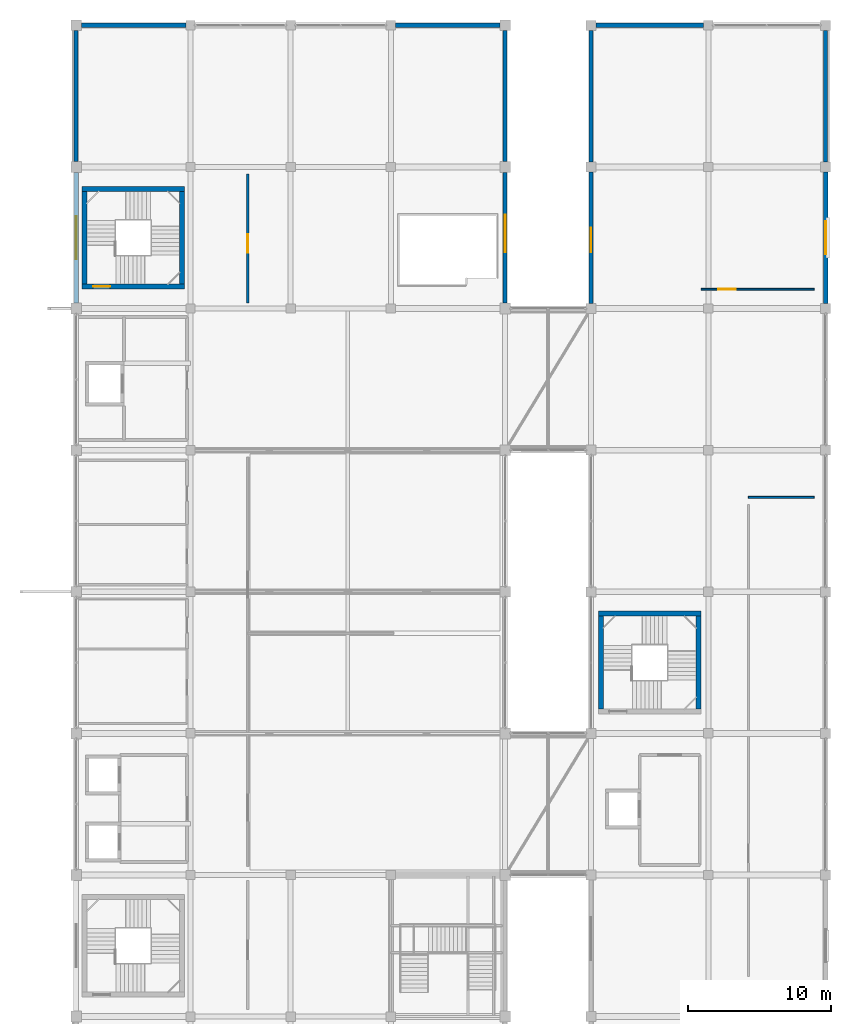
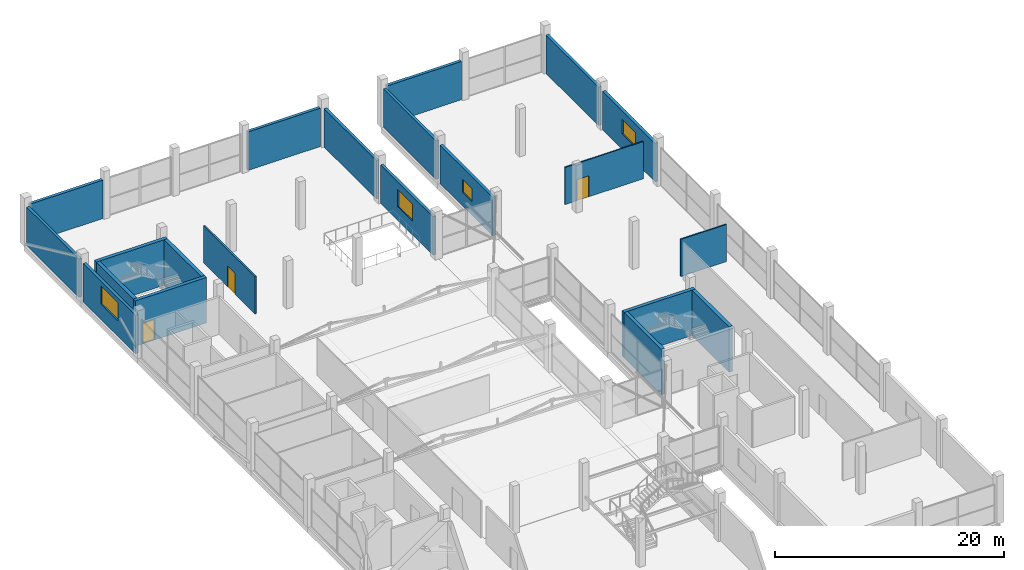
# One storey, part 55 of 67: 21 walls, 4 windows, 3 doors, 7 openings.
"""IFC4 building model written with IfcOpenShell, lengths in metres."""

from ifc_helpers import new_model, si_unit, direction, frame, frame_2d, origin, place, context, subcontext, project, spatial, rectangle, extrude, material, layer, layer_set, type_object, element, fill, save


model = new_model("IFC4")

# Units and contexts
model_context = context("Model", 3, precision=1e-05, world=origin(), true_north=direction((0.0, 1.0)))
body_context = subcontext(model_context, "Body", "Model", "MODEL_VIEW")
ifc_project = project(units=[si_unit("LENGTHUNIT", "METRE"), si_unit("AREAUNIT", "SQUARE_METRE"), si_unit("VOLUMEUNIT", "CUBIC_METRE"), si_unit("PLANEANGLEUNIT", "RADIAN"), si_unit("MASSUNIT", "GRAM", prefix="KILO")], contexts=[model_context])

# Site, building, storey
site_placement = place(None, origin())
site = spatial("IfcSite", under=ifc_project, at=site_placement, CompositionType="ELEMENT")
building_placement = place(site_placement, origin())
building = spatial("IfcBuilding", under=site, at=building_placement, Name="Sillaruma Civic Art Gallery", CompositionType="ELEMENT")
storey_placement = place(building_placement, frame((0.0, 0.0, 46.919921875)))
storey = spatial("IfcBuildingStorey", under=building, at=storey_placement, Name="L09", CompositionType="ELEMENT", Elevation=46.919921875)

# Wall, opening, door
ifc_material_1 = material(Name="Concrete H40 (40 MPa)", Category="concrete")
ifc_layer_1 = layer(ifc_material_1, 0.35009765625, Name="Concrete H40 (40 MPa)")
ifc_layer_set_1 = layer_set([ifc_layer_1], Name="Concrete H40 (40 MPa)")
wall_type_1 = type_object("IfcWallType", Name="WAL-CORE-350", PredefinedType="SHEAR", material=ifc_layer_set_1)
wall_1_placement = place(storey_placement, frame((62.409912109375, 80.735107421875, 0.0), z_axis=(0.0, 0.0, 1.0), x_axis=(1.0, 0.0, 0.0)))
wall_1 = element("IfcWall", 1, at=wall_1_placement, inside=storey, type_object=wall_type_1, Name="Stair Core Shear Wall W-CORE-350 (ST-02:L09:S)", PredefinedType="SHEAR", context=body_context, shape_type="SweptSolid", body=[
    extrude(rectangle(XDim=7.18017578125, YDim=0.35009765625, at=frame_2d((3.590087890625, 0.0))), origin(), (0.0, 0.0, 1.0), 4.85009765625),
])
opening_1_placement = place(wall_1_placement, frame((0.77001953125, 0.0, 0.0)))
opening_1 = element("IfcOpeningElement", 2, at=opening_1_placement, cuts=wall_1, Name="Opening D-STAIR", PredefinedType="OPENING", context=body_context, shape_type="SweptSolid", body=[
    extrude(rectangle(XDim=1.199951171875, YDim=2.199951171875, at=frame_2d((0.60009765625, 1.10009765625))), frame((0.0, 0.18505859375, 0.0), z_axis=(0.0, -1.0, 0.0), x_axis=(1.0, 0.0, 0.0)), (0.0, 0.0, 1.0), 0.3701171875),
])
ifc_material_2 = material(Name="Galvanised Steel ASTM A653 Gr.50", Category="steel")
door_type_1 = type_object("IfcDoorType", Name="DOR-STAIR-120", OperationType="NOTDEFINED", PredefinedType="DOOR", material=ifc_material_2)
door_1_placement = place(opening_1_placement, origin())
door_1 = element("IfcDoor", 3, at=door_1_placement, inside=storey, type_object=door_type_1, Name="Protected Stair Fire Door (ST-02:L09)", OperationType="SINGLE_SWING_LEFT", OverallHeight=2.199951171875, OverallWidth=1.199951171875, PredefinedType="DOOR", context=body_context, shape_type="SweptSolid", body=[
    extrude(rectangle(XDim=1.199951171875, YDim=2.199951171875, at=frame_2d((0.60009765625, 1.10009765625))), frame((0.0, 0.02490234375, 0.0), z_axis=(0.0, -1.0, 0.0), x_axis=(1.0, 0.0, 0.0)), (0.0, 0.0, 1.0), 0.050048828125),
])
fill(opening_1, door_1)

# Walls
wall_2_placement = place(storey_placement, frame((62.409912109375, 87.56494140625, 0.0), z_axis=(0.0, 0.0, 1.0), x_axis=(1.0, 0.0, 0.0)))
element("IfcWall", 4, at=wall_2_placement, inside=storey, type_object=wall_type_1, Name="Stair Core Shear Wall W-CORE-350 (ST-02:L09:N)", PredefinedType="SHEAR", context=body_context, shape_type="SweptSolid", body=[
    extrude(rectangle(XDim=7.18017578125, YDim=0.35009765625, at=frame_2d((3.590087890625, 0.0))), origin(), (0.0, 0.0, 1.0), 4.85009765625),
])
for number, where, z_axis, x_axis, name in (
    (5, (62.5849609375, 80.909912109375, 0.0), (0.0, 0.0, 1.0), (0.0, 1.0, 0.0), "Stair Core Shear Wall W-CORE-350 (ST-02:L09:W)"),
    (6, (69.4150390625, 80.909912109375, 0.0), (0.0, 0.0, 1.0), (0.0, 1.0, 0.0), "Stair Core Shear Wall W-CORE-350 (ST-02:L09:E)"),
):
    element("IfcWall", number, at=place(storey_placement, frame(where, z_axis=z_axis, x_axis=x_axis)), inside=storey, type_object=wall_type_1, Name=name, PredefinedType="SHEAR", context=body_context, shape_type="SweptSolid", body=[
        extrude(rectangle(XDim=6.47998046875, YDim=0.35009765625, at=frame_2d((3.239990234375, 0.0))), origin(), (0.0, 0.0, 1.0), 4.85009765625),
    ])
wall_3_placement = place(storey_placement, frame((98.510009765625, 57.864990234375, 0.0), z_axis=(0.0, 0.0, 1.0), x_axis=(1.0, 0.0, 0.0)))
element("IfcWall", 7, at=wall_3_placement, inside=storey, type_object=wall_type_1, Name="Stair Core Shear Wall W-CORE-350 (ST-04:L09:N)", PredefinedType="SHEAR", context=body_context, shape_type="SweptSolid", body=[
    extrude(rectangle(XDim=7.179931640625, YDim=0.35009765625, at=frame_2d((3.58984375, 0.0))), origin(), (0.0, 0.0, 1.0), 4.85009765625),
])
for number, where, z_axis, x_axis, name in (
    (8, (98.68505859375, 51.2099609375, 0.0), (0.0, 0.0, 1.0), (0.0, 1.0, 0.0), "Stair Core Shear Wall W-CORE-350 (ST-04:L09:W)"),
    (9, (105.514892578125, 51.2099609375, 0.0), (0.0, 0.0, 1.0), (0.0, 1.0, 0.0), "Stair Core Shear Wall W-CORE-350 (ST-04:L09:E)"),
):
    element("IfcWall", number, at=place(storey_placement, frame(where, z_axis=z_axis, x_axis=x_axis)), inside=storey, type_object=wall_type_1, Name=name, PredefinedType="SHEAR", context=body_context, shape_type="SweptSolid", body=[
        extrude(rectangle(XDim=6.47998046875, YDim=0.35009765625, at=frame_2d((3.239990234375, 0.0))), origin(), (0.0, 0.0, 1.0), 4.85009765625),
    ])

# Wall, opening, window
ifc_material_3 = material(Name="Concrete H35 (35 MPa)", Category="concrete")
ifc_layer_2 = layer(ifc_material_3, 0.159912109375, Name="Concrete backup", Category="concrete")
ifc_material_4 = material(Name="Mineral Wool Thermal Insulation", Category="insulation")
ifc_layer_3 = layer(ifc_material_4, 0.090087890625, Name="Thermal insulation", Category="insulation")
ifc_material_5 = material(Name="Anodised Zinc-Aluminium Alloy", Category="aluminium")
ifc_layer_4 = layer(ifc_material_5, 0.030029296875, Name="Rainscreen finish", Category="aluminium")
ifc_layer_set_2 = layer_set([ifc_layer_2, ifc_layer_3, ifc_layer_4], Name="W-EXT-280")
wall_type_2 = type_object("IfcWallType", Name="WAL-EXT-280", PredefinedType="SOLIDWALL", material=ifc_layer_set_2)
wall_4_placement = place(storey_placement, frame((92.0, 79.574951171875, 0.0), z_axis=(0.0, 0.0, 1.0), x_axis=(0.0, 1.0, 0.0)))
wall_4 = element("IfcWall", 10, at=wall_4_placement, inside=storey, type_object=wall_type_2, Name="Exterior Wall W-EXT-280 (EW-L09-WBE-7)", PredefinedType="SOLIDWALL", context=body_context, shape_type="SweptSolid", body=[
    extrude(rectangle(XDim=9.150146484375, YDim=0.280029296875, at=frame_2d((4.5751953125, 0.0))), origin(), (0.0, 0.0, 1.0), 4.10009765625),
])
opening_2_placement = place(wall_4_placement, frame((3.574951171875, 0.0, 1.449951171875)))
opening_2 = element("IfcOpeningElement", 11, at=opening_2_placement, cuts=wall_4, Name="Opening WN-08", PredefinedType="OPENING", context=body_context, shape_type="SweptSolid", body=[
    extrude(rectangle(XDim=2.60009765625, YDim=1.85009765625, at=frame_2d((1.300048828125, 0.925048828125))), frame((0.0, 0.14990234375, 0.0), z_axis=(0.0, -1.0, 0.0), x_axis=(1.0, 0.0, 0.0)), (0.0, 0.0, 1.0), 0.300048828125),
])
ifc_material_6 = material(Name="Thermally Broken Extruded Aluminium 6063-T6", Category="aluminium")
window_type_1 = type_object("IfcWindowType", Name="WIN-W08", PartitioningType="SINGLE_PANEL", PredefinedType="WINDOW", material=ifc_material_6)
window_1_placement = place(opening_2_placement, origin())
window_1 = element("IfcWindow", 12, at=window_1_placement, inside=storey, type_object=window_type_1, Name="Window WN-08 (EW-L09-WBE-7-1)", OverallHeight=1.85009765625, OverallWidth=2.60009765625, PartitioningType="SINGLE_PANEL", PredefinedType="WINDOW", context=body_context, shape_type="SweptSolid", body=[
    extrude(rectangle(XDim=2.60009765625, YDim=1.85009765625, at=frame_2d((1.300048828125, 0.925048828125))), frame((0.0, 0.030029296875, 0.0), z_axis=(0.0, -1.0, 0.0), x_axis=(1.0, 0.0, 0.0)), (0.0, 0.0, 1.0), 0.06005859375),
])
fill(opening_2, window_1)

# Wall
wall_5_placement = place(storey_placement, frame((92.0, 89.47509765625, 0.0), z_axis=(0.0, 0.0, 1.0), x_axis=(0.0, 1.0, 0.0)))
element("IfcWall", 13, at=wall_5_placement, inside=storey, type_object=wall_type_2, Name="Exterior Wall W-EXT-280 (EW-L09-WBE-8)", PredefinedType="SOLIDWALL", context=body_context, shape_type="SweptSolid", body=[
    extrude(rectangle(XDim=9.14990234375, YDim=0.280029296875, at=frame_2d((4.574951171875, 0.0))), origin(), (0.0, 0.0, 1.0), 4.10009765625),
])

# Wall, opening, window
wall_6_placement = place(storey_placement, frame((98.0, 79.550048828125, 0.0), z_axis=(0.0, 0.0, 1.0), x_axis=(0.0, 1.0, 0.0)))
wall_6 = element("IfcWall", 14, at=wall_6_placement, inside=storey, type_object=wall_type_2, Name="Exterior Wall W-EXT-280 (EW-L09-EBW-7)", PredefinedType="SOLIDWALL", context=body_context, shape_type="SweptSolid", body=[
    extrude(rectangle(XDim=9.199951171875, YDim=0.280029296875, at=frame_2d((4.60009765625, 0.0))), origin(), (0.0, 0.0, 1.0), 4.10009765625),
])
opening_3_placement = place(wall_6_placement, frame((3.60009765625, 0.0, 1.449951171875)))
opening_3 = element("IfcOpeningElement", 15, at=opening_3_placement, cuts=wall_6, Name="Opening WN-15", PredefinedType="OPENING", context=body_context, shape_type="SweptSolid", body=[
    extrude(rectangle(XDim=1.699951171875, YDim=1.39990234375, at=frame_2d((0.85009765625, 0.699951171875))), frame((0.0, 0.14990234375, 0.0), z_axis=(0.0, -1.0, 0.0), x_axis=(1.0, 0.0, 0.0)), (0.0, 0.0, 1.0), 0.300048828125),
])
window_type_2 = type_object("IfcWindowType", Name="WIN-W15", PartitioningType="SINGLE_PANEL", PredefinedType="WINDOW", material=ifc_material_6)
window_2_placement = place(opening_3_placement, origin())
window_2 = element("IfcWindow", 16, at=window_2_placement, inside=storey, type_object=window_type_2, Name="Window WN-15 (EW-L09-EBW-7-1)", OverallHeight=1.39990234375, OverallWidth=1.699951171875, PartitioningType="SINGLE_PANEL", PredefinedType="WINDOW", context=body_context, shape_type="SweptSolid", body=[
    extrude(rectangle(XDim=1.699951171875, YDim=1.39990234375, at=frame_2d((0.85009765625, 0.699951171875))), frame((0.0, 0.030029296875, 0.0), z_axis=(0.0, -1.0, 0.0), x_axis=(1.0, 0.0, 0.0)), (0.0, 0.0, 1.0), 0.06005859375),
])
fill(opening_3, window_2)

# Walls
wall_7_placement = place(storey_placement, frame((98.0, 89.449951171875, 0.0), z_axis=(0.0, 0.0, 1.0), x_axis=(0.0, 1.0, 0.0)))
element("IfcWall", 17, at=wall_7_placement, inside=storey, type_object=wall_type_2, Name="Exterior Wall W-EXT-280 (EW-L09-EBW-8)", PredefinedType="SOLIDWALL", context=body_context, shape_type="SweptSolid", body=[
    extrude(rectangle(XDim=9.199951171875, YDim=0.280029296875, at=frame_2d((4.60009765625, 0.0))), origin(), (0.0, 0.0, 1.0), 4.10009765625),
])
ifc_layer_5 = layer(ifc_material_3, 0.169921875, Name="Concrete backup", Category="concrete")
ifc_layer_6 = layer(ifc_material_4, 0.090087890625, Name="Thermal insulation", Category="insulation")
ifc_layer_7 = layer(ifc_material_5, 0.030029296875, Name="Rainscreen finish", Category="aluminium")
ifc_layer_set_3 = layer_set([ifc_layer_5, ifc_layer_6, ifc_layer_7], Name="W-EXT-290")
wall_type_3 = type_object("IfcWallType", Name="WAL-EXT-290", PredefinedType="SOLIDWALL", material=ifc_layer_set_3)
wall_8_placement = place(storey_placement, frame((62.0, 89.47509765625, 0.0), z_axis=(0.0, 0.0, 1.0), x_axis=(0.0, 1.0, 0.0)))
element("IfcWall", 18, at=wall_8_placement, inside=storey, type_object=wall_type_3, Name="Exterior Wall W-EXT-290 (EW-L09-WBW-8)", PredefinedType="SOLIDWALL", context=body_context, shape_type="SweptSolid", body=[
    extrude(rectangle(XDim=9.14990234375, YDim=0.2900390625, at=frame_2d((4.574951171875, 0.0))), origin(), (0.0, 0.0, 1.0), 4.10009765625),
])
wall_9_placement = place(storey_placement, frame((114.39990234375, 89.449951171875, 0.0), z_axis=(0.0, 0.0, 1.0), x_axis=(0.0, 1.0, 0.0)))
element("IfcWall", 19, at=wall_9_placement, inside=storey, type_object=wall_type_3, Name="Exterior Wall W-EXT-290 (EW-L09-EBE-8)", PredefinedType="SOLIDWALL", context=body_context, shape_type="SweptSolid", body=[
    extrude(rectangle(XDim=9.199951171875, YDim=0.2900390625, at=frame_2d((4.60009765625, 0.0))), origin(), (0.0, 0.0, 1.0), 4.10009765625),
])

# Wall, opening, window
ifc_material_7 = material(Name="Precast Concrete H35 (35 MPa)", Category="concrete")
ifc_layer_8 = layer(ifc_material_7, 0.179931640625, Name="Precast backup", Category="concrete")
ifc_layer_9 = layer(ifc_material_4, 0.090087890625, Name="Thermal insulation", Category="insulation")
ifc_material_8 = material(Name="Comanche Granitic Ashlar Stone", Category="masonry")
ifc_layer_10 = layer(ifc_material_8, 0.030029296875, Name="Rainscreen cladding", Category="masonry")
ifc_layer_set_4 = layer_set([ifc_layer_8, ifc_layer_9, ifc_layer_10], Name="W-EXT-300")
wall_type_4 = type_object("IfcWallType", Name="WAL-EXT-300", PredefinedType="SOLIDWALL", material=ifc_layer_set_4)
wall_10_placement = place(storey_placement, frame((62.0, 79.574951171875, 0.0), z_axis=(0.0, 0.0, 1.0), x_axis=(0.0, 1.0, 0.0)))
wall_10 = element("IfcWall", 20, at=wall_10_placement, inside=storey, type_object=wall_type_4, Name="Exterior Wall W-EXT-300 (EW-L09-WBW-7)", PredefinedType="SOLIDWALL", context=body_context, shape_type="SweptSolid", body=[
    extrude(rectangle(XDim=9.150146484375, YDim=0.300048828125, at=frame_2d((4.5751953125, 0.0))), origin(), (0.0, 0.0, 1.0), 4.10009765625),
])
opening_4_placement = place(wall_10_placement, frame((3.074951171875, 0.0, 1.64990234375)))
opening_4 = element("IfcOpeningElement", 21, at=opening_4_placement, cuts=wall_10, Name="Opening WN-10", PredefinedType="OPENING", context=body_context, shape_type="SweptSolid", body=[
    extrude(rectangle(XDim=3.0, YDim=1.949951171875, at=frame_2d((1.5, 0.97509765625))), frame((0.0, 0.159912109375, 0.0), z_axis=(0.0, -1.0, 0.0), x_axis=(1.0, 0.0, 0.0)), (0.0, 0.0, 1.0), 0.320068359375),
])
window_type_3 = type_object("IfcWindowType", Name="WIN-W10", PartitioningType="SINGLE_PANEL", PredefinedType="WINDOW", material=ifc_material_6)
window_3_placement = place(opening_4_placement, origin())
window_3 = element("IfcWindow", 22, at=window_3_placement, inside=storey, type_object=window_type_3, Name="Window WN-10 (EW-L09-WBW-7-1)", OverallHeight=1.949951171875, OverallWidth=3.0, PartitioningType="SINGLE_PANEL", PredefinedType="WINDOW", context=body_context, shape_type="SweptSolid", body=[
    extrude(rectangle(XDim=3.0, YDim=1.949951171875, at=frame_2d((1.5, 0.97509765625))), frame((0.0, 0.030029296875, 0.0), z_axis=(0.0, -1.0, 0.0), x_axis=(1.0, 0.0, 0.0)), (0.0, 0.0, 1.0), 0.06005859375),
])
fill(opening_4, window_3)

# Walls
for number, where, z_axis, x_axis, name in (
    (23, (62.375, 99.0, 0.0), (0.0, 0.0, 1.0), (1.0, 0.0, 0.0), "Exterior Wall W-EXT-300 (EW-L09-WBN-1)"),
    (24, (84.324951171875, 99.0, 0.0), (0.0, 0.0, 1.0), (1.0, 0.0, 0.0), "Exterior Wall W-EXT-300 (EW-L09-WBN-4)"),
):
    element("IfcWall", number, at=place(storey_placement, frame(where, z_axis=z_axis, x_axis=x_axis)), inside=storey, type_object=wall_type_4, Name=name, PredefinedType="SOLIDWALL", context=body_context, shape_type="SweptSolid", body=[
        extrude(rectangle(XDim=7.300048828125, YDim=0.300048828125, at=frame_2d((3.64990234375, 0.0))), origin(), (0.0, 0.0, 1.0), 4.10009765625),
    ])

# Wall, opening, window
wall_11_placement = place(storey_placement, frame((114.39990234375, 79.550048828125, 0.0), z_axis=(0.0, 0.0, 1.0), x_axis=(0.0, 1.0, 0.0)))
wall_11 = element("IfcWall", 25, at=wall_11_placement, inside=storey, type_object=wall_type_4, Name="Exterior Wall W-EXT-300 (EW-L09-EBE-7)", PredefinedType="SOLIDWALL", context=body_context, shape_type="SweptSolid", body=[
    extrude(rectangle(XDim=9.199951171875, YDim=0.300048828125, at=frame_2d((4.60009765625, 0.0))), origin(), (0.0, 0.0, 1.0), 4.10009765625),
])
opening_5_placement = place(wall_11_placement, frame((3.449951171875, 0.0, 1.64990234375)))
opening_5 = element("IfcOpeningElement", 26, at=opening_5_placement, cuts=wall_11, Name="Opening WN-12", PredefinedType="OPENING", context=body_context, shape_type="SweptSolid", body=[
    extrude(rectangle(XDim=2.300048828125, YDim=1.550048828125, at=frame_2d((1.14990234375, 0.77490234375))), frame((0.0, 0.159912109375, 0.0), z_axis=(0.0, -1.0, 0.0), x_axis=(1.0, 0.0, 0.0)), (0.0, 0.0, 1.0), 0.320068359375),
])
window_type_4 = type_object("IfcWindowType", Name="WIN-W12", PartitioningType="SINGLE_PANEL", PredefinedType="WINDOW", material=ifc_material_6)
window_4_placement = place(opening_5_placement, origin())
window_4 = element("IfcWindow", 27, at=window_4_placement, inside=storey, type_object=window_type_4, Name="Window WN-12 (EW-L09-EBE-7-1)", OverallHeight=1.550048828125, OverallWidth=2.300048828125, PartitioningType="SINGLE_PANEL", PredefinedType="WINDOW", context=body_context, shape_type="SweptSolid", body=[
    extrude(rectangle(XDim=2.300048828125, YDim=1.550048828125, at=frame_2d((1.14990234375, 0.77490234375))), frame((0.0, 0.030029296875, 0.0), z_axis=(0.0, -1.0, 0.0), x_axis=(1.0, 0.0, 0.0)), (0.0, 0.0, 1.0), 0.06005859375),
])
fill(opening_5, window_4)

# Wall
wall_12_placement = place(storey_placement, frame((98.35009765625, 99.0, 0.0), z_axis=(0.0, 0.0, 1.0), x_axis=(1.0, 0.0, 0.0)))
element("IfcWall", 28, at=wall_12_placement, inside=storey, type_object=wall_type_4, Name="Exterior Wall W-EXT-300 (EW-L09-EBN-1)", PredefinedType="SOLIDWALL", context=body_context, shape_type="SweptSolid", body=[
    extrude(rectangle(XDim=7.52490234375, YDim=0.300048828125, at=frame_2d((3.762451171875, 0.0))), origin(), (0.0, 0.0, 1.0), 4.10009765625),
])

# Wall, opening, door
ifc_material_9 = material(Name="Gypsum Acoustic Board", Category="gypsum")
ifc_layer_11 = layer(ifc_material_9, 0.02490234375, Name="Finish board", Category="gypsum")
ifc_layer_12 = layer(ifc_material_4, 0.070068359375, Name="Acoustic core", Category="insulation")
ifc_material_10 = material(Name="Andean Oak Timber", Category="wood")
ifc_layer_13 = layer(ifc_material_10, 0.02490234375, Name="Gallery lining", Category="wood")
ifc_layer_set_5 = layer_set([ifc_layer_11, ifc_layer_12, ifc_layer_13], Name="W-PT-120")
wall_type_5 = type_object("IfcWallType", Name="WAL-PART-120", PredefinedType="PARTITIONING", material=ifc_layer_set_5)
wall_13_placement = place(storey_placement, frame((105.699951171875, 80.550048828125, 0.0), z_axis=(0.0, 0.0, 1.0), x_axis=(1.0, 0.0, 0.0)))
wall_13 = element("IfcWall", 29, at=wall_13_placement, inside=storey, type_object=wall_type_5, Name="Interior Wall W-PT-120 (L09-STDE3)", PredefinedType="PARTITIONING", context=body_context, shape_type="SweptSolid", body=[
    extrude(rectangle(XDim=7.900146484375, YDim=0.1201171875, at=frame_2d((3.9501953125, 0.0))), origin(), (0.0, 0.0, 1.0), 3.969970703125),
])
opening_6_placement = place(wall_13_placement, frame((1.199951171875, 0.0, 0.0)))
opening_6 = element("IfcOpeningElement", 30, at=opening_6_placement, cuts=wall_13, Name="Opening D-STD12", PredefinedType="OPENING", context=body_context, shape_type="SweptSolid", body=[
    extrude(rectangle(XDim=1.199951171875, YDim=2.25, at=frame_2d((0.60009765625, 1.125))), frame((0.0, 0.070068359375, 0.0), z_axis=(0.0, -1.0, 0.0), x_axis=(1.0, 0.0, 0.0)), (0.0, 0.0, 1.0), 0.14013671875),
])
door_type_2 = type_object("IfcDoorType", Name="DOR-STD-120", OperationType="NOTDEFINED", PredefinedType="DOOR", material=ifc_material_10)
door_2_placement = place(opening_6_placement, origin())
door_2 = element("IfcDoor", 31, at=door_2_placement, inside=storey, type_object=door_type_2, Name="East Wing North Artist Studio (L09) Door (D-STD12)", OperationType="SINGLE_SWING_LEFT", OverallHeight=2.25, OverallWidth=1.199951171875, PredefinedType="DOOR", context=body_context, shape_type="SweptSolid", body=[
    extrude(rectangle(XDim=1.199951171875, YDim=2.25, at=frame_2d((0.60009765625, 1.125))), frame((0.0, 0.02490234375, 0.0), z_axis=(0.0, -1.0, 0.0), x_axis=(1.0, 0.0, 0.0)), (0.0, 0.0, 1.0), 0.050048828125),
])
fill(opening_6, door_2)

# Wall
ifc_layer_14 = layer(ifc_material_9, 0.02490234375, Name="Finish board", Category="gypsum")
ifc_layer_15 = layer(ifc_material_4, 0.080078125, Name="Acoustic core", Category="insulation")
ifc_layer_16 = layer(ifc_material_10, 0.02490234375, Name="Gallery lining", Category="wood")
ifc_layer_set_6 = layer_set([ifc_layer_14, ifc_layer_15, ifc_layer_16], Name="W-PT-130")
wall_type_6 = type_object("IfcWallType", Name="WAL-PART-130", PredefinedType="PARTITIONING", material=ifc_layer_set_6)
wall_14_placement = place(storey_placement, frame((109.0, 66.0, 0.0), z_axis=(0.0, 0.0, 1.0), x_axis=(1.0, 0.0, 0.0)))
element("IfcWall", 32, at=wall_14_placement, inside=storey, type_object=wall_type_6, Name="Interior Wall W-PT-130 (L09-STDE2)", PredefinedType="PARTITIONING", context=body_context, shape_type="SweptSolid", body=[
    extrude(rectangle(XDim=4.60009765625, YDim=0.1298828125, at=frame_2d((2.300048828125, 0.0))), origin(), (0.0, 0.0, 1.0), 3.969970703125),
])

# Wall, opening, door
ifc_layer_17 = layer(ifc_material_9, 0.02490234375, Name="Finish board", Category="gypsum")
ifc_layer_18 = layer(ifc_material_4, 0.114990234375, Name="Acoustic core", Category="insulation")
ifc_layer_19 = layer(ifc_material_10, 0.02490234375, Name="Gallery lining", Category="wood")
ifc_layer_set_7 = layer_set([ifc_layer_17, ifc_layer_18, ifc_layer_19], Name="W-PT-165")
wall_type_7 = type_object("IfcWallType", Name="WAL-PART-165", PredefinedType="PARTITIONING", material=ifc_layer_set_7)
wall_15_placement = place(storey_placement, frame((74.0, 79.60009765625, 0.0), z_axis=(0.0, 0.0, 1.0), x_axis=(0.0, 1.0, 0.0)))
wall_15 = element("IfcWall", 33, at=wall_15_placement, inside=storey, type_object=wall_type_7, Name="Interior Wall W-PT-165 (L09-STDW1)", PredefinedType="PARTITIONING", context=body_context, shape_type="SweptSolid", body=[
    extrude(rectangle(XDim=9.0, YDim=0.1650390625, at=frame_2d((4.5, 0.0))), origin(), (0.0, 0.0, 1.0), 3.969970703125),
])
opening_7_placement = place(wall_15_placement, frame((3.5, 0.0, 0.0)))
opening_7 = element("IfcOpeningElement", 34, at=opening_7_placement, cuts=wall_15, Name="Opening D-STD13", PredefinedType="OPENING", context=body_context, shape_type="SweptSolid", body=[
    extrude(rectangle(XDim=1.300048828125, YDim=2.25, at=frame_2d((0.64990234375, 1.125))), frame((0.0, 0.092529296875, 0.0), z_axis=(0.0, -1.0, 0.0), x_axis=(1.0, 0.0, 0.0)), (0.0, 0.0, 1.0), 0.18505859375),
])
door_type_3 = type_object("IfcDoorType", Name="DOR-STD-130", OperationType="NOTDEFINED", PredefinedType="DOOR", material=ifc_material_10)
door_3_placement = place(opening_7_placement, origin())
door_3 = element("IfcDoor", 35, at=door_3_placement, inside=storey, type_object=door_type_3, Name="West Wing North Artist Studio (L09) Door (D-STD13)", OperationType="SINGLE_SWING_RIGHT", OverallHeight=2.25, OverallWidth=1.300048828125, PredefinedType="DOOR", context=body_context, shape_type="SweptSolid", body=[
    extrude(rectangle(XDim=1.300048828125, YDim=2.25, at=frame_2d((0.64990234375, 1.125))), frame((0.0, 0.02490234375, 0.0), z_axis=(0.0, -1.0, 0.0), x_axis=(1.0, 0.0, 0.0)), (0.0, 0.0, 1.0), 0.050048828125),
])
fill(opening_7, door_3)

save(model, "model.ifc")
